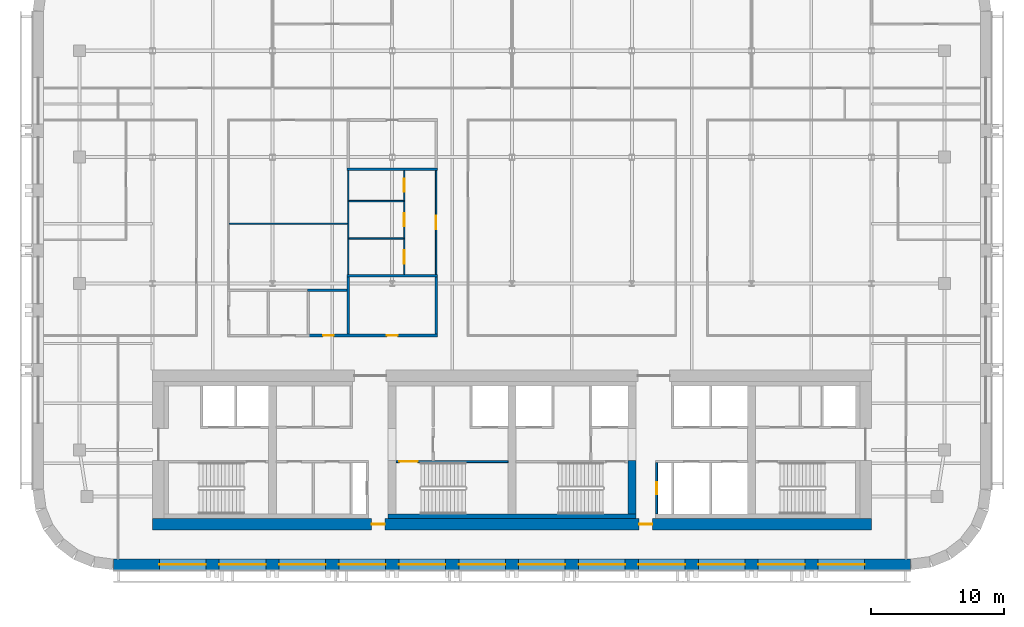
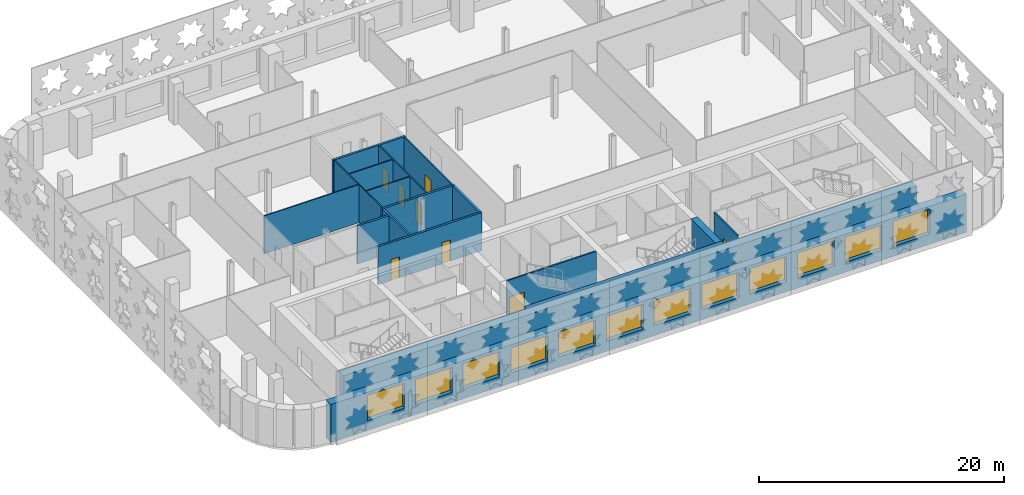
# One storey, part 4 of 13: 18 walls, 12 windows, 10 doors, 22 openings.
"""IFC4 building model written with IfcOpenShell, lengths in metres."""

from ifc_helpers import new_model, si_unit, direction, frame, frame_2d, origin, place, context, subcontext, project, spatial, rectangle, extrude, material, layer, layer_set, type_object, element, fill, save


model = new_model("IFC4")

# Units and contexts
model_context = context("Model", 3, precision=1e-05, world=origin(), true_north=direction((0.0, 1.0)))
body_context = subcontext(model_context, "Body", "Model", "MODEL_VIEW")
ifc_project = project(units=[si_unit("LENGTHUNIT", "METRE"), si_unit("AREAUNIT", "SQUARE_METRE"), si_unit("VOLUMEUNIT", "CUBIC_METRE"), si_unit("PLANEANGLEUNIT", "RADIAN"), si_unit("MASSUNIT", "GRAM", prefix="KILO")], contexts=[model_context])

# Site, building, storey
site_placement = place(None, origin())
site = spatial("IfcSite", under=ifc_project, at=site_placement, CompositionType="ELEMENT")
building_placement = place(site_placement, origin())
building = spatial("IfcBuilding", under=site, at=building_placement, Name="Zellij Exchange Tower", CompositionType="ELEMENT")
storey_placement = place(building_placement, frame((0.0, 0.0, 172.5)))
storey = spatial("IfcBuildingStorey", under=building, at=storey_placement, Name="L39", CompositionType="ELEMENT", Elevation=172.5)

# Walls
ifc_material_1 = material(Name="Concrete C60/75", Category="concrete")
ifc_layer_1 = layer(ifc_material_1, 0.60009765625)
ifc_layer_set_1 = layer_set([ifc_layer_1], Name="Concrete C60/75")
wall_type_1 = type_object("IfcWallType", Name="CORE-CW 600 C60/75", PredefinedType="SHEAR", material=ifc_layer_set_1)
wall_1_placement = place(storey_placement, frame((9.0, -12.800048828125, 0.0), z_axis=(0.0, 0.0, 1.0), x_axis=(0.0, 1.0, 0.0)))
element("IfcWall", 1, at=wall_1_placement, inside=storey, type_object=wall_type_1, Name="Core cross wall pier x 9 a L39", PredefinedType="SHEAR", context=body_context, shape_type="SweptSolid", body=[
    extrude(rectangle(XDim=4.0, YDim=0.60009765625, at=frame_2d((2.0, 0.0))), origin(), (0.0, 0.0, 1.0), 3.800048828125),
])
ifc_material_2 = material(Name="Concrete C30/37", Category="concrete")
ifc_layer_2 = layer(ifc_material_2, 0.35009765625)
ifc_layer_set_2 = layer_set([ifc_layer_2], Name="Concrete C30/37")
wall_type_2 = type_object("IfcWallType", Name="CORE-LW 350 C30/37", PredefinedType="SHEAR", material=ifc_layer_set_2)
wall_2_placement = place(storey_placement, frame((-9.300048828125, -12.97509765625, 0.0), z_axis=(0.0, 0.0, 1.0), x_axis=(1.0, 0.0, 0.0)))
element("IfcWall", 2, at=wall_2_placement, inside=storey, type_object=wall_type_2, Name="Core wall lining rear.1 L39", PredefinedType="SHEAR", context=body_context, shape_type="SweptSolid", body=[
    extrude(rectangle(XDim=18.60009765625, YDim=0.35009765625, at=frame_2d((9.300048828125, 0.0))), origin(), (0.0, 0.0, 1.0), 3.800048828125),
])

# Wall, opening, door
ifc_material_3 = material(Name="Gypsum board partition")
ifc_layer_3 = layer(ifc_material_3, 0.14990234375)
ifc_layer_set_3 = layer_set([ifc_layer_3], Name="Gypsum board partition")
wall_type_3 = type_object("IfcWallType", Name="CORE-PW 150 Lift lobby wall", PredefinedType="PARTITIONING", material=ifc_layer_set_3)
wall_3_placement = place(storey_placement, frame((10.875, -12.800048828125, 0.0), z_axis=(0.0, 0.0, 1.0), x_axis=(0.0, 1.0, 0.0)))
wall_3 = element("IfcWall", 3, at=wall_3_placement, inside=storey, type_object=wall_type_3, Name="Lift lobby wall L39", PredefinedType="PARTITIONING", context=body_context, shape_type="SweptSolid", body=[
    extrude(rectangle(XDim=3.85009765625, YDim=0.14990234375, at=frame_2d((1.925048828125, 0.0))), origin(), (0.0, 0.0, 1.0), 3.800048828125),
])
opening_1_placement = place(wall_3_placement, frame((1.47509765625, 0.0, 0.0)))
opening_1 = element("IfcOpeningElement", 4, at=opening_1_placement, cuts=wall_3, Name="Opening CA-22.21", PredefinedType="OPENING", context=body_context, shape_type="SweptSolid", body=[
    extrude(rectangle(XDim=0.89990234375, YDim=2.10009765625, at=frame_2d((0.449951171875, 1.050048828125))), frame((0.0, 0.0869140625, 0.0), z_axis=(0.0, -1.0, 0.0), x_axis=(1.0, 0.0, 0.0)), (0.0, 0.0, 1.0), 0.173828125),
])
ifc_material_4 = material(Name="Hollow metal fire door")
door_type_1 = type_object("IfcDoorType", Name="CORE-D RD Riser door 900x2100 1.5 HR", OperationType="NOTDEFINED", PredefinedType="DOOR", material=ifc_material_4)
door_1_placement = place(opening_1_placement, origin())
door_1 = element("IfcDoor", 5, at=door_1_placement, inside=storey, type_object=door_type_1, Name="Riser door CA-22.21", OperationType="SINGLE_SWING_LEFT", OverallHeight=2.10009765625, OverallWidth=0.89990234375, PredefinedType="DOOR", context=body_context, shape_type="SweptSolid", body=[
    extrude(rectangle(XDim=0.89990234375, YDim=2.10009765625, at=frame_2d((0.449951171875, 1.050048828125))), frame((0.0, 0.02490234375, 0.0), z_axis=(0.0, -1.0, 0.0), x_axis=(1.0, 0.0, 0.0)), (0.0, 0.0, 1.0), 0.050048828125),
])
fill(opening_1, door_1)

# Wall, openings, doors
ifc_layer_4 = layer(ifc_material_1, 0.85009765625)
ifc_layer_set_4 = layer_set([ifc_layer_4], Name="Concrete C60/75")
wall_type_4 = type_object("IfcWallType", Name="CORE-SW 850 C60/75", PredefinedType="SHEAR", material=ifc_layer_set_4)
wall_4_placement = place(storey_placement, frame((-27.0, -13.574951171875, 0.0), z_axis=(0.0, 0.0, 1.0), x_axis=(1.0, 0.0, 0.0)))
wall_4 = element("IfcWall", 6, at=wall_4_placement, inside=storey, type_object=wall_type_4, Name="Core shear wall rear L39", PredefinedType="SHEAR", context=body_context, shape_type="SweptSolid", body=[
    extrude(rectangle(XDim=54.0, YDim=0.85009765625, at=frame_2d((27.0, 0.0))), origin(), (0.0, 0.0, 1.0), 3.800048828125),
])
opening_2_placement = place(wall_4_placement, frame((16.449951171875, 0.0, 0.0)))
opening_2 = element("IfcOpeningElement", 7, at=opening_2_placement, cuts=wall_4, Name="Opening CA-22.11", PredefinedType="OPENING", context=body_context, shape_type="SweptSolid", body=[
    extrude(rectangle(XDim=1.0, YDim=2.10009765625, at=frame_2d((0.5, 1.050048828125))), frame((0.0, 0.43701171875, 0.0), z_axis=(0.0, -1.0, 0.0), x_axis=(1.0, 0.0, 0.0)), (0.0, 0.0, 1.0), 0.8740234375),
])
opening_3_placement = place(wall_4_placement, frame((36.550048828125, 0.0, 0.0)))
opening_3 = element("IfcOpeningElement", 8, at=opening_3_placement, cuts=wall_4, Name="Opening CA-22.19", PredefinedType="OPENING", context=body_context, shape_type="SweptSolid", body=[
    extrude(rectangle(XDim=1.0, YDim=2.10009765625, at=frame_2d((0.5, 1.050048828125))), frame((0.0, 0.43701171875, 0.0), z_axis=(0.0, -1.0, 0.0), x_axis=(1.0, 0.0, 0.0)), (0.0, 0.0, 1.0), 0.8740234375),
])
door_type_2 = type_object("IfcDoorType", Name="CORE-D CR Core rear door 1000x2100 20 MIN", OperationType="NOTDEFINED", PredefinedType="DOOR", material=ifc_material_4)
door_2_placement = place(opening_2_placement, origin())
door_2 = element("IfcDoor", 9, at=door_2_placement, inside=storey, type_object=door_type_2, Name="Core rear door CA-22.11", OperationType="SINGLE_SWING_RIGHT", OverallHeight=2.10009765625, OverallWidth=1.0, PredefinedType="DOOR", context=body_context, shape_type="SweptSolid", body=[
    extrude(rectangle(XDim=1.0, YDim=2.10009765625, at=frame_2d((0.5, 1.050048828125))), frame((0.0, 0.02490234375, 0.0), z_axis=(0.0, -1.0, 0.0), x_axis=(1.0, 0.0, 0.0)), (0.0, 0.0, 1.0), 0.050048828125),
])
fill(opening_2, door_2)
door_3_placement = place(opening_3_placement, origin())
door_3 = element("IfcDoor", 10, at=door_3_placement, inside=storey, type_object=door_type_2, Name="Core rear door CA-22.19", OperationType="SINGLE_SWING_LEFT", OverallHeight=2.10009765625, OverallWidth=1.0, PredefinedType="DOOR", context=body_context, shape_type="SweptSolid", body=[
    extrude(rectangle(XDim=1.0, YDim=2.10009765625, at=frame_2d((0.5, 1.050048828125))), frame((0.0, 0.02490234375, 0.0), z_axis=(0.0, -1.0, 0.0), x_axis=(1.0, 0.0, 0.0)), (0.0, 0.0, 1.0), 0.050048828125),
])
fill(opening_3, door_3)

# Wall, opening, door
ifc_layer_5 = layer(ifc_material_1, 0.14990234375)
ifc_layer_set_5 = layer_set([ifc_layer_5], Name="Concrete C60/75")
wall_type_5 = type_object("IfcWallType", Name="CORE-SWS 150 C60/75", PredefinedType="SHEAR", material=ifc_layer_set_5)
wall_5_placement = place(storey_placement, frame((-8.699951171875, -8.875, 0.0), z_axis=(0.0, 0.0, 1.0), x_axis=(1.0, 0.0, 0.0)))
wall_5 = element("IfcWall", 11, at=wall_5_placement, inside=storey, type_object=wall_type_5, Name="Stair enclosure wall L39", PredefinedType="SHEAR", context=body_context, shape_type="SweptSolid", body=[
    extrude(rectangle(XDim=8.39990234375, YDim=0.14990234375, at=frame_2d((4.199951171875, 0.0))), origin(), (0.0, 0.0, 1.0), 3.800048828125),
])
opening_4_placement = place(wall_5_placement, frame((0.22509765625, 0.0, 0.0)))
opening_4 = element("IfcOpeningElement", 12, at=opening_4_placement, cuts=wall_5, Name="Opening CA-22.12", PredefinedType="OPENING", context=body_context, shape_type="SweptSolid", body=[
    extrude(rectangle(XDim=1.39990234375, YDim=2.10009765625, at=frame_2d((0.699951171875, 1.050048828125))), frame((0.0, 0.0869140625, 0.0), z_axis=(0.0, -1.0, 0.0), x_axis=(1.0, 0.0, 0.0)), (0.0, 0.0, 1.0), 0.173828125),
])
door_type_3 = type_object("IfcDoorType", Name="CORE-D SD Stair door 1400x2100 1.5 HR", OperationType="NOTDEFINED", PredefinedType="DOOR", material=ifc_material_4)
door_4_placement = place(opening_4_placement, origin())
door_4 = element("IfcDoor", 13, at=door_4_placement, inside=storey, type_object=door_type_3, Name="Stair door CA-22.12", OperationType="DOUBLE_DOOR_SINGLE_SWING", OverallHeight=2.10009765625, OverallWidth=1.39990234375, PredefinedType="DOOR", context=body_context, shape_type="SweptSolid", body=[
    extrude(rectangle(XDim=1.39990234375, YDim=2.10009765625, at=frame_2d((0.699951171875, 1.050048828125))), frame((0.0, 0.02490234375, 0.0), z_axis=(0.0, -1.0, 0.0), x_axis=(1.0, 0.0, 0.0)), (0.0, 0.0, 1.0), 0.050048828125),
])
fill(opening_4, door_4)

# Wall, openings, windows
ifc_material_5 = material(Name="Precast concrete C40/50", Category="concrete")
ifc_layer_6 = layer(ifc_material_5, 0.800048828125)
ifc_layer_set_6 = layer_set([ifc_layer_6], Name="Precast concrete C40/50")
wall_type_6 = type_object("IfcWallType", Name="ENV-EW1 Precast stone-piered wall 800", PredefinedType="SOLIDWALL", material=ifc_layer_set_6)
wall_6_placement = place(storey_placement, frame((-29.947509765625, -16.60009765625, 0.0), z_axis=(0.0, 0.0, 1.0), x_axis=(1.0, 0.0, 0.0)))
wall_6 = element("IfcWall", 14, at=wall_6_placement, inside=storey, type_object=wall_type_6, Name="fac.L39.00", PredefinedType="SOLIDWALL", context=body_context, shape_type="SweptSolid", body=[
    extrude(rectangle(XDim=59.89501953125, YDim=0.800048828125, at=frame_2d((29.947509765625, 0.0))), origin(), (0.0, 0.0, 1.0), 3.800048828125),
])
opening_5_placement = place(wall_6_placement, frame((3.447509765625, 0.0, 1.0)))
opening_5 = element("IfcOpeningElement", 15, at=opening_5_placement, cuts=wall_6, Name="Opening FZ3.01", PredefinedType="OPENING", context=body_context, shape_type="SweptSolid", body=[
    extrude(rectangle(XDim=3.5, YDim=2.5, at=frame_2d((1.75, 1.25))), frame((0.0, 0.412109375, 0.0), z_axis=(0.0, -1.0, 0.0), x_axis=(1.0, 0.0, 0.0)), (0.0, 0.0, 1.0), 0.823974609375),
])
opening_6_placement = place(wall_6_placement, frame((7.947509765625, 0.0, 1.0)))
opening_6 = element("IfcOpeningElement", 16, at=opening_6_placement, cuts=wall_6, Name="Opening FZ3.02", PredefinedType="OPENING", context=body_context, shape_type="SweptSolid", body=[
    extrude(rectangle(XDim=3.5, YDim=2.5, at=frame_2d((1.75, 1.25))), frame((0.0, 0.412109375, 0.0), z_axis=(0.0, -1.0, 0.0), x_axis=(1.0, 0.0, 0.0)), (0.0, 0.0, 1.0), 0.823974609375),
])
opening_7_placement = place(wall_6_placement, frame((12.447509765625, 0.0, 1.0)))
opening_7 = element("IfcOpeningElement", 17, at=opening_7_placement, cuts=wall_6, Name="Opening FZ3.03", PredefinedType="OPENING", context=body_context, shape_type="SweptSolid", body=[
    extrude(rectangle(XDim=3.5, YDim=2.5, at=frame_2d((1.75, 1.25))), frame((0.0, 0.412109375, 0.0), z_axis=(0.0, -1.0, 0.0), x_axis=(1.0, 0.0, 0.0)), (0.0, 0.0, 1.0), 0.823974609375),
])
opening_8_placement = place(wall_6_placement, frame((16.947509765625, 0.0, 1.0)))
opening_8 = element("IfcOpeningElement", 18, at=opening_8_placement, cuts=wall_6, Name="Opening FZ3.04", PredefinedType="OPENING", context=body_context, shape_type="SweptSolid", body=[
    extrude(rectangle(XDim=3.5, YDim=2.5, at=frame_2d((1.75, 1.25))), frame((0.0, 0.412109375, 0.0), z_axis=(0.0, -1.0, 0.0), x_axis=(1.0, 0.0, 0.0)), (0.0, 0.0, 1.0), 0.823974609375),
])
opening_9_placement = place(wall_6_placement, frame((21.447509765625, 0.0, 1.0)))
opening_9 = element("IfcOpeningElement", 19, at=opening_9_placement, cuts=wall_6, Name="Opening FZ3.05", PredefinedType="OPENING", context=body_context, shape_type="SweptSolid", body=[
    extrude(rectangle(XDim=3.5, YDim=2.5, at=frame_2d((1.75, 1.25))), frame((0.0, 0.412109375, 0.0), z_axis=(0.0, -1.0, 0.0), x_axis=(1.0, 0.0, 0.0)), (0.0, 0.0, 1.0), 0.823974609375),
])
opening_10_placement = place(wall_6_placement, frame((25.947509765625, 0.0, 1.0)))
opening_10 = element("IfcOpeningElement", 20, at=opening_10_placement, cuts=wall_6, Name="Opening FZ3.06", PredefinedType="OPENING", context=body_context, shape_type="SweptSolid", body=[
    extrude(rectangle(XDim=3.5, YDim=2.5, at=frame_2d((1.75, 1.25))), frame((0.0, 0.412109375, 0.0), z_axis=(0.0, -1.0, 0.0), x_axis=(1.0, 0.0, 0.0)), (0.0, 0.0, 1.0), 0.823974609375),
])
opening_11_placement = place(wall_6_placement, frame((30.447509765625, 0.0, 1.0)))
opening_11 = element("IfcOpeningElement", 21, at=opening_11_placement, cuts=wall_6, Name="Opening FZ3.07", PredefinedType="OPENING", context=body_context, shape_type="SweptSolid", body=[
    extrude(rectangle(XDim=3.5, YDim=2.5, at=frame_2d((1.75, 1.25))), frame((0.0, 0.412109375, 0.0), z_axis=(0.0, -1.0, 0.0), x_axis=(1.0, 0.0, 0.0)), (0.0, 0.0, 1.0), 0.823974609375),
])
opening_12_placement = place(wall_6_placement, frame((34.947509765625, 0.0, 1.0)))
opening_12 = element("IfcOpeningElement", 22, at=opening_12_placement, cuts=wall_6, Name="Opening FZ3.08", PredefinedType="OPENING", context=body_context, shape_type="SweptSolid", body=[
    extrude(rectangle(XDim=3.5, YDim=2.5, at=frame_2d((1.75, 1.25))), frame((0.0, 0.412109375, 0.0), z_axis=(0.0, -1.0, 0.0), x_axis=(1.0, 0.0, 0.0)), (0.0, 0.0, 1.0), 0.823974609375),
])
opening_13_placement = place(wall_6_placement, frame((39.447509765625, 0.0, 1.0)))
opening_13 = element("IfcOpeningElement", 23, at=opening_13_placement, cuts=wall_6, Name="Opening FZ3.09", PredefinedType="OPENING", context=body_context, shape_type="SweptSolid", body=[
    extrude(rectangle(XDim=3.5, YDim=2.5, at=frame_2d((1.75, 1.25))), frame((0.0, 0.412109375, 0.0), z_axis=(0.0, -1.0, 0.0), x_axis=(1.0, 0.0, 0.0)), (0.0, 0.0, 1.0), 0.823974609375),
])
opening_14_placement = place(wall_6_placement, frame((43.947509765625, 0.0, 1.0)))
opening_14 = element("IfcOpeningElement", 24, at=opening_14_placement, cuts=wall_6, Name="Opening FZ3.10", PredefinedType="OPENING", context=body_context, shape_type="SweptSolid", body=[
    extrude(rectangle(XDim=3.5, YDim=2.5, at=frame_2d((1.75, 1.25))), frame((0.0, 0.412109375, 0.0), z_axis=(0.0, -1.0, 0.0), x_axis=(1.0, 0.0, 0.0)), (0.0, 0.0, 1.0), 0.823974609375),
])
opening_15_placement = place(wall_6_placement, frame((48.447509765625, 0.0, 1.0)))
opening_15 = element("IfcOpeningElement", 25, at=opening_15_placement, cuts=wall_6, Name="Opening FZ3.11", PredefinedType="OPENING", context=body_context, shape_type="SweptSolid", body=[
    extrude(rectangle(XDim=3.5, YDim=2.5, at=frame_2d((1.75, 1.25))), frame((0.0, 0.412109375, 0.0), z_axis=(0.0, -1.0, 0.0), x_axis=(1.0, 0.0, 0.0)), (0.0, 0.0, 1.0), 0.823974609375),
])
opening_16_placement = place(wall_6_placement, frame((52.947509765625, 0.0, 1.0)))
opening_16 = element("IfcOpeningElement", 26, at=opening_16_placement, cuts=wall_6, Name="Opening FZ3.12", PredefinedType="OPENING", context=body_context, shape_type="SweptSolid", body=[
    extrude(rectangle(XDim=3.5, YDim=2.5, at=frame_2d((1.75, 1.25))), frame((0.0, 0.412109375, 0.0), z_axis=(0.0, -1.0, 0.0), x_axis=(1.0, 0.0, 0.0)), (0.0, 0.0, 1.0), 0.823974609375),
])
ifc_material_6 = material(Name="Aluminium frame with insulating glass", Category="aluminium")
window_type = type_object("IfcWindowType", Name="ENV-W1 Window 3500x2500", PartitioningType="SINGLE_PANEL", PredefinedType="WINDOW", material=ifc_material_6)
window_1_placement = place(opening_5_placement, origin())
window_1 = element("IfcWindow", 27, at=window_1_placement, inside=storey, type_object=window_type, Name="Window FZ3.01", OverallHeight=2.5, OverallWidth=3.5, PartitioningType="SINGLE_PANEL", PredefinedType="WINDOW", context=body_context, shape_type="SweptSolid", body=[
    extrude(rectangle(XDim=3.5, YDim=2.5, at=frame_2d((1.75, 1.25))), frame((0.0, 0.030029296875, 0.0), z_axis=(0.0, -1.0, 0.0), x_axis=(1.0, 0.0, 0.0)), (0.0, 0.0, 1.0), 0.06005859375),
])
fill(opening_5, window_1)
window_2_placement = place(opening_6_placement, origin())
window_2 = element("IfcWindow", 28, at=window_2_placement, inside=storey, type_object=window_type, Name="Window FZ3.02", OverallHeight=2.5, OverallWidth=3.5, PartitioningType="SINGLE_PANEL", PredefinedType="WINDOW", context=body_context, shape_type="SweptSolid", body=[
    extrude(rectangle(XDim=3.5, YDim=2.5, at=frame_2d((1.75, 1.25))), frame((0.0, 0.030029296875, 0.0), z_axis=(0.0, -1.0, 0.0), x_axis=(1.0, 0.0, 0.0)), (0.0, 0.0, 1.0), 0.06005859375),
])
fill(opening_6, window_2)
window_3_placement = place(opening_7_placement, origin())
window_3 = element("IfcWindow", 29, at=window_3_placement, inside=storey, type_object=window_type, Name="Window FZ3.03", OverallHeight=2.5, OverallWidth=3.5, PartitioningType="SINGLE_PANEL", PredefinedType="WINDOW", context=body_context, shape_type="SweptSolid", body=[
    extrude(rectangle(XDim=3.5, YDim=2.5, at=frame_2d((1.75, 1.25))), frame((0.0, 0.030029296875, 0.0), z_axis=(0.0, -1.0, 0.0), x_axis=(1.0, 0.0, 0.0)), (0.0, 0.0, 1.0), 0.06005859375),
])
fill(opening_7, window_3)
window_4_placement = place(opening_8_placement, origin())
window_4 = element("IfcWindow", 30, at=window_4_placement, inside=storey, type_object=window_type, Name="Window FZ3.04", OverallHeight=2.5, OverallWidth=3.5, PartitioningType="SINGLE_PANEL", PredefinedType="WINDOW", context=body_context, shape_type="SweptSolid", body=[
    extrude(rectangle(XDim=3.5, YDim=2.5, at=frame_2d((1.75, 1.25))), frame((0.0, 0.030029296875, 0.0), z_axis=(0.0, -1.0, 0.0), x_axis=(1.0, 0.0, 0.0)), (0.0, 0.0, 1.0), 0.06005859375),
])
fill(opening_8, window_4)
window_5_placement = place(opening_9_placement, origin())
window_5 = element("IfcWindow", 31, at=window_5_placement, inside=storey, type_object=window_type, Name="Window FZ3.05", OverallHeight=2.5, OverallWidth=3.5, PartitioningType="SINGLE_PANEL", PredefinedType="WINDOW", context=body_context, shape_type="SweptSolid", body=[
    extrude(rectangle(XDim=3.5, YDim=2.5, at=frame_2d((1.75, 1.25))), frame((0.0, 0.030029296875, 0.0), z_axis=(0.0, -1.0, 0.0), x_axis=(1.0, 0.0, 0.0)), (0.0, 0.0, 1.0), 0.06005859375),
])
fill(opening_9, window_5)
window_6_placement = place(opening_10_placement, origin())
window_6 = element("IfcWindow", 32, at=window_6_placement, inside=storey, type_object=window_type, Name="Window FZ3.06", OverallHeight=2.5, OverallWidth=3.5, PartitioningType="SINGLE_PANEL", PredefinedType="WINDOW", context=body_context, shape_type="SweptSolid", body=[
    extrude(rectangle(XDim=3.5, YDim=2.5, at=frame_2d((1.75, 1.25))), frame((0.0, 0.030029296875, 0.0), z_axis=(0.0, -1.0, 0.0), x_axis=(1.0, 0.0, 0.0)), (0.0, 0.0, 1.0), 0.06005859375),
])
fill(opening_10, window_6)
window_7_placement = place(opening_11_placement, origin())
window_7 = element("IfcWindow", 33, at=window_7_placement, inside=storey, type_object=window_type, Name="Window FZ3.07", OverallHeight=2.5, OverallWidth=3.5, PartitioningType="SINGLE_PANEL", PredefinedType="WINDOW", context=body_context, shape_type="SweptSolid", body=[
    extrude(rectangle(XDim=3.5, YDim=2.5, at=frame_2d((1.75, 1.25))), frame((0.0, 0.030029296875, 0.0), z_axis=(0.0, -1.0, 0.0), x_axis=(1.0, 0.0, 0.0)), (0.0, 0.0, 1.0), 0.06005859375),
])
fill(opening_11, window_7)
window_8_placement = place(opening_12_placement, origin())
window_8 = element("IfcWindow", 34, at=window_8_placement, inside=storey, type_object=window_type, Name="Window FZ3.08", OverallHeight=2.5, OverallWidth=3.5, PartitioningType="SINGLE_PANEL", PredefinedType="WINDOW", context=body_context, shape_type="SweptSolid", body=[
    extrude(rectangle(XDim=3.5, YDim=2.5, at=frame_2d((1.75, 1.25))), frame((0.0, 0.030029296875, 0.0), z_axis=(0.0, -1.0, 0.0), x_axis=(1.0, 0.0, 0.0)), (0.0, 0.0, 1.0), 0.06005859375),
])
fill(opening_12, window_8)
window_9_placement = place(opening_13_placement, origin())
window_9 = element("IfcWindow", 35, at=window_9_placement, inside=storey, type_object=window_type, Name="Window FZ3.09", OverallHeight=2.5, OverallWidth=3.5, PartitioningType="SINGLE_PANEL", PredefinedType="WINDOW", context=body_context, shape_type="SweptSolid", body=[
    extrude(rectangle(XDim=3.5, YDim=2.5, at=frame_2d((1.75, 1.25))), frame((0.0, 0.030029296875, 0.0), z_axis=(0.0, -1.0, 0.0), x_axis=(1.0, 0.0, 0.0)), (0.0, 0.0, 1.0), 0.06005859375),
])
fill(opening_13, window_9)
window_10_placement = place(opening_14_placement, origin())
window_10 = element("IfcWindow", 36, at=window_10_placement, inside=storey, type_object=window_type, Name="Window FZ3.10", OverallHeight=2.5, OverallWidth=3.5, PartitioningType="SINGLE_PANEL", PredefinedType="WINDOW", context=body_context, shape_type="SweptSolid", body=[
    extrude(rectangle(XDim=3.5, YDim=2.5, at=frame_2d((1.75, 1.25))), frame((0.0, 0.030029296875, 0.0), z_axis=(0.0, -1.0, 0.0), x_axis=(1.0, 0.0, 0.0)), (0.0, 0.0, 1.0), 0.06005859375),
])
fill(opening_14, window_10)
window_11_placement = place(opening_15_placement, origin())
window_11 = element("IfcWindow", 37, at=window_11_placement, inside=storey, type_object=window_type, Name="Window FZ3.11", OverallHeight=2.5, OverallWidth=3.5, PartitioningType="SINGLE_PANEL", PredefinedType="WINDOW", context=body_context, shape_type="SweptSolid", body=[
    extrude(rectangle(XDim=3.5, YDim=2.5, at=frame_2d((1.75, 1.25))), frame((0.0, 0.030029296875, 0.0), z_axis=(0.0, -1.0, 0.0), x_axis=(1.0, 0.0, 0.0)), (0.0, 0.0, 1.0), 0.06005859375),
])
fill(opening_15, window_11)
window_12_placement = place(opening_16_placement, origin())
window_12 = element("IfcWindow", 38, at=window_12_placement, inside=storey, type_object=window_type, Name="Window FZ3.12", OverallHeight=2.5, OverallWidth=3.5, PartitioningType="SINGLE_PANEL", PredefinedType="WINDOW", context=body_context, shape_type="SweptSolid", body=[
    extrude(rectangle(XDim=3.5, YDim=2.5, at=frame_2d((1.75, 1.25))), frame((0.0, 0.030029296875, 0.0), z_axis=(0.0, -1.0, 0.0), x_axis=(1.0, 0.0, 0.0)), (0.0, 0.0, 1.0), 0.06005859375),
])
fill(opening_16, window_12)

# Wall, openings, doors
ifc_material_7 = material(Name="Blockwork partition", Category="masonry")
ifc_layer_7 = layer(ifc_material_7, 0.199951171875)
ifc_layer_set_7 = layer_set([ifc_layer_7], Name="Blockwork partition")
wall_type_7 = type_object("IfcWallType", Name="FIT-BLOCKWORK-200", PredefinedType="PARTITIONING", material=ifc_layer_set_7)
wall_7_placement = place(storey_placement, frame((-15.375, 0.60009765625, 0.0), z_axis=(0.0, 0.0, 1.0), x_axis=(1.0, 0.0, 0.0)))
wall_7 = element("IfcWall", 39, at=wall_7_placement, inside=storey, type_object=wall_type_7, Name="FIT-BLOCKWORK-200 008", PredefinedType="PARTITIONING", context=body_context, shape_type="SweptSolid", body=[
    extrude(rectangle(XDim=9.77490234375, YDim=0.199951171875, at=frame_2d((4.887451171875, 0.0))), origin(), (0.0, 0.0, 1.0), 3.800048828125),
])
opening_17_placement = place(wall_7_placement, frame((1.175048828125, 0.0, 0.0)))
opening_17 = element("IfcOpeningElement", 40, at=opening_17_placement, cuts=wall_7, Name="Opening O3A.04", PredefinedType="OPENING", context=body_context, shape_type="SweptSolid", body=[
    extrude(rectangle(XDim=0.800048828125, YDim=2.10009765625, at=frame_2d((0.39990234375, 1.050048828125))), frame((0.0, 0.11181640625, 0.0), z_axis=(0.0, -1.0, 0.0), x_axis=(1.0, 0.0, 0.0)), (0.0, 0.0, 1.0), 0.223876953125),
])
opening_18_placement = place(wall_7_placement, frame((5.97509765625, 0.0, 0.0)))
opening_18 = element("IfcOpeningElement", 41, at=opening_18_placement, cuts=wall_7, Name="Opening O3A.05", PredefinedType="OPENING", context=body_context, shape_type="SweptSolid", body=[
    extrude(rectangle(XDim=0.800048828125, YDim=2.10009765625, at=frame_2d((0.39990234375, 1.050048828125))), frame((0.0, 0.11181640625, 0.0), z_axis=(0.0, -1.0, 0.0), x_axis=(1.0, 0.0, 0.0)), (0.0, 0.0, 1.0), 0.223876953125),
])
ifc_material_8 = material(Name="Timber door set", Category="wood")
door_type_4 = type_object("IfcDoorType", Name="FIT-D6-SERVICE-800X2100", OperationType="SINGLE_SWING_LEFT", PredefinedType="DOOR", material=ifc_material_8)
door_5_placement = place(opening_17_placement, origin())
door_5 = element("IfcDoor", 42, at=door_5_placement, inside=storey, type_object=door_type_4, Name="Door O3A.04", OperationType="SINGLE_SWING_RIGHT", OverallHeight=2.10009765625, OverallWidth=0.800048828125, PredefinedType="DOOR", context=body_context, shape_type="SweptSolid", body=[
    extrude(rectangle(XDim=0.800048828125, YDim=2.10009765625, at=frame_2d((0.39990234375, 1.050048828125))), frame((0.0, 0.02490234375, 0.0), z_axis=(0.0, -1.0, 0.0), x_axis=(1.0, 0.0, 0.0)), (0.0, 0.0, 1.0), 0.050048828125),
])
fill(opening_17, door_5)
door_6_placement = place(opening_18_placement, origin())
door_6 = element("IfcDoor", 43, at=door_6_placement, inside=storey, type_object=door_type_4, Name="Door O3A.05", OperationType="SINGLE_SWING_LEFT", OverallHeight=2.10009765625, OverallWidth=0.800048828125, PredefinedType="DOOR", context=body_context, shape_type="SweptSolid", body=[
    extrude(rectangle(XDim=0.800048828125, YDim=2.10009765625, at=frame_2d((0.39990234375, 1.050048828125))), frame((0.0, 0.02490234375, 0.0), z_axis=(0.0, -1.0, 0.0), x_axis=(1.0, 0.0, 0.0)), (0.0, 0.0, 1.0), 0.050048828125),
])
fill(opening_18, door_6)

# Walls
for number, where, z_axis, x_axis, name in (
    (44, (-12.300048828125, 0.699951171875, 0.0), (0.0, 0.0, 1.0), (0.0, 1.0, 0.0), "FIT-BLOCKWORK-200 010"),
    (45, (-5.699951171875, 0.699951171875, 0.0), (0.0, 0.0, 1.0), (0.0, 1.0, 0.0), "FIT-BLOCKWORK-200 011"),
):
    element("IfcWall", number, at=place(storey_placement, frame(where, z_axis=z_axis, x_axis=x_axis)), inside=storey, type_object=wall_type_7, Name=name, PredefinedType="PARTITIONING", context=body_context, shape_type="SweptSolid", body=[
        extrude(rectangle(XDim=4.300048828125, YDim=0.199951171875, at=frame_2d((2.14990234375, 0.0))), origin(), (0.0, 0.0, 1.0), 3.800048828125),
    ])
wall_8_placement = place(storey_placement, frame((-15.375, 4.0, 0.0), z_axis=(0.0, 0.0, 1.0), x_axis=(1.0, 0.0, 0.0)))
element("IfcWall", 46, at=wall_8_placement, inside=storey, type_object=wall_type_7, Name="FIT-BLOCKWORK-200 019", PredefinedType="PARTITIONING", context=body_context, shape_type="SweptSolid", body=[
    extrude(rectangle(XDim=2.97509765625, YDim=0.199951171875, at=frame_2d((1.487548828125, 0.0))), origin(), (0.0, 0.0, 1.0), 3.800048828125),
])
for number, where, z_axis, x_axis, name in (
    (47, (-12.39990234375, 5.10009765625, 0.0), (0.0, 0.0, 1.0), (1.0, 0.0, 0.0), "FIT-BLOCKWORK-200 020"),
    (48, (-12.39990234375, 13.10009765625, 0.0), (0.0, 0.0, 1.0), (1.0, 0.0, 0.0), "FIT-BLOCKWORK-200 031"),
):
    element("IfcWall", number, at=place(storey_placement, frame(where, z_axis=z_axis, x_axis=x_axis)), inside=storey, type_object=wall_type_7, Name=name, PredefinedType="PARTITIONING", context=body_context, shape_type="SweptSolid", body=[
        extrude(rectangle(XDim=6.7998046875, YDim=0.199951171875, at=frame_2d((3.39990234375, 0.0))), origin(), (0.0, 0.0, 1.0), 3.800048828125),
    ])
ifc_material_9 = material(Name="Gypsum board partition on steel studs", Category="steel")
ifc_layer_8 = layer(ifc_material_9, 0.10009765625)
ifc_layer_set_8 = layer_set([ifc_layer_8], Name="Gypsum board partition on steel studs")
wall_type_8 = type_object("IfcWallType", Name="FIT-PARTITION-100", PredefinedType="PARTITIONING", material=ifc_layer_set_8)
wall_9_placement = place(storey_placement, frame((-12.300048828125, 5.199951171875, 0.0), z_axis=(0.0, 0.0, 1.0), x_axis=(0.0, 1.0, 0.0)))
element("IfcWall", 49, at=wall_9_placement, inside=storey, type_object=wall_type_8, Name="FIT-PARTITION-100 021", PredefinedType="PARTITIONING", context=body_context, shape_type="SweptSolid", body=[
    extrude(rectangle(XDim=7.800048828125, YDim=0.10009765625, at=frame_2d((3.89990234375, 0.0))), origin(), (0.0, 0.0, 1.0), 3.800048828125),
])

# Wall, openings, doors
wall_10_placement = place(storey_placement, frame((-8.10009765625, 5.199951171875, 0.0), z_axis=(0.0, 0.0, 1.0), x_axis=(0.0, 1.0, 0.0)))
wall_10 = element("IfcWall", 50, at=wall_10_placement, inside=storey, type_object=wall_type_8, Name="FIT-PARTITION-100 022", PredefinedType="PARTITIONING", context=body_context, shape_type="SweptSolid", body=[
    extrude(rectangle(XDim=7.800048828125, YDim=0.10009765625, at=frame_2d((3.89990234375, 0.0))), origin(), (0.0, 0.0, 1.0), 3.800048828125),
])
opening_19_placement = place(wall_10_placement, frame((0.800048828125, 0.0, 0.0)))
opening_19 = element("IfcOpeningElement", 51, at=opening_19_placement, cuts=wall_10, Name="Opening O3A.10", PredefinedType="OPENING", context=body_context, shape_type="SweptSolid", body=[
    extrude(rectangle(XDim=1.0, YDim=2.10009765625, at=frame_2d((0.5, 1.050048828125))), frame((0.0, 0.06201171875, 0.0), z_axis=(0.0, -1.0, 0.0), x_axis=(1.0, 0.0, 0.0)), (0.0, 0.0, 1.0), 0.1240234375),
])
opening_20_placement = place(wall_10_placement, frame((3.60009765625, 0.0, 0.0)))
opening_20 = element("IfcOpeningElement", 52, at=opening_20_placement, cuts=wall_10, Name="Opening O3A.12", PredefinedType="OPENING", context=body_context, shape_type="SweptSolid", body=[
    extrude(rectangle(XDim=1.0, YDim=2.10009765625, at=frame_2d((0.5, 1.050048828125))), frame((0.0, 0.06201171875, 0.0), z_axis=(0.0, -1.0, 0.0), x_axis=(1.0, 0.0, 0.0)), (0.0, 0.0, 1.0), 0.1240234375),
])
opening_21_placement = place(wall_10_placement, frame((6.199951171875, 0.0, 0.0)))
opening_21 = element("IfcOpeningElement", 53, at=opening_21_placement, cuts=wall_10, Name="Opening O3A.13", PredefinedType="OPENING", context=body_context, shape_type="SweptSolid", body=[
    extrude(rectangle(XDim=1.0, YDim=2.10009765625, at=frame_2d((0.5, 1.050048828125))), frame((0.0, 0.06201171875, 0.0), z_axis=(0.0, -1.0, 0.0), x_axis=(1.0, 0.0, 0.0)), (0.0, 0.0, 1.0), 0.1240234375),
])
door_type_5 = type_object("IfcDoorType", Name="FIT-D2-WIDE-1000X2100", OperationType="SINGLE_SWING_LEFT", PredefinedType="DOOR", material=ifc_material_8)
door_7_placement = place(opening_19_placement, origin())
door_7 = element("IfcDoor", 54, at=door_7_placement, inside=storey, type_object=door_type_5, Name="Door O3A.10", OperationType="SINGLE_SWING_RIGHT", OverallHeight=2.10009765625, OverallWidth=1.0, PredefinedType="DOOR", context=body_context, shape_type="SweptSolid", body=[
    extrude(rectangle(XDim=1.0, YDim=2.10009765625, at=frame_2d((0.5, 1.050048828125))), frame((0.0, 0.02490234375, 0.0), z_axis=(0.0, -1.0, 0.0), x_axis=(1.0, 0.0, 0.0)), (0.0, 0.0, 1.0), 0.050048828125),
])
fill(opening_19, door_7)
door_8_placement = place(opening_20_placement, origin())
door_8 = element("IfcDoor", 55, at=door_8_placement, inside=storey, type_object=door_type_5, Name="Door O3A.12", OperationType="SINGLE_SWING_LEFT", OverallHeight=2.10009765625, OverallWidth=1.0, PredefinedType="DOOR", context=body_context, shape_type="SweptSolid", body=[
    extrude(rectangle(XDim=1.0, YDim=2.10009765625, at=frame_2d((0.5, 1.050048828125))), frame((0.0, 0.02490234375, 0.0), z_axis=(0.0, -1.0, 0.0), x_axis=(1.0, 0.0, 0.0)), (0.0, 0.0, 1.0), 0.050048828125),
])
fill(opening_20, door_8)
door_9_placement = place(opening_21_placement, origin())
door_9 = element("IfcDoor", 56, at=door_9_placement, inside=storey, type_object=door_type_5, Name="Door O3A.13", OperationType="SINGLE_SWING_LEFT", OverallHeight=2.10009765625, OverallWidth=1.0, PredefinedType="DOOR", context=body_context, shape_type="SweptSolid", body=[
    extrude(rectangle(XDim=1.0, YDim=2.10009765625, at=frame_2d((0.5, 1.050048828125))), frame((0.0, 0.02490234375, 0.0), z_axis=(0.0, -1.0, 0.0), x_axis=(1.0, 0.0, 0.0)), (0.0, 0.0, 1.0), 0.050048828125),
])
fill(opening_21, door_9)

# Wall, opening, door
wall_11_placement = place(storey_placement, frame((-5.699951171875, 5.199951171875, 0.0), z_axis=(0.0, 0.0, 1.0), x_axis=(0.0, 1.0, 0.0)))
wall_11 = element("IfcWall", 57, at=wall_11_placement, inside=storey, type_object=wall_type_8, Name="FIT-PARTITION-100 023", PredefinedType="PARTITIONING", context=body_context, shape_type="SweptSolid", body=[
    extrude(rectangle(XDim=7.800048828125, YDim=0.10009765625, at=frame_2d((3.89990234375, 0.0))), origin(), (0.0, 0.0, 1.0), 3.800048828125),
])
opening_22_placement = place(wall_11_placement, frame((3.39990234375, 0.0, 0.0)))
opening_22 = element("IfcOpeningElement", 58, at=opening_22_placement, cuts=wall_11, Name="Opening O3A.11", PredefinedType="OPENING", context=body_context, shape_type="SweptSolid", body=[
    extrude(rectangle(XDim=1.0, YDim=2.10009765625, at=frame_2d((0.5, 1.050048828125))), frame((0.0, 0.06201171875, 0.0), z_axis=(0.0, -1.0, 0.0), x_axis=(1.0, 0.0, 0.0)), (0.0, 0.0, 1.0), 0.1240234375),
])
door_10_placement = place(opening_22_placement, origin())
door_10 = element("IfcDoor", 59, at=door_10_placement, inside=storey, type_object=door_type_5, Name="Door O3A.11", OperationType="SINGLE_SWING_RIGHT", OverallHeight=2.10009765625, OverallWidth=1.0, PredefinedType="DOOR", context=body_context, shape_type="SweptSolid", body=[
    extrude(rectangle(XDim=1.0, YDim=2.10009765625, at=frame_2d((0.5, 1.050048828125))), frame((0.0, 0.02490234375, 0.0), z_axis=(0.0, -1.0, 0.0), x_axis=(1.0, 0.0, 0.0)), (0.0, 0.0, 1.0), 0.050048828125),
])
fill(opening_22, door_10)

# Walls
wall_12_placement = place(storey_placement, frame((-12.25, 7.89990234375, 0.0), z_axis=(0.0, 0.0, 1.0), x_axis=(1.0, 0.0, 0.0)))
element("IfcWall", 60, at=wall_12_placement, inside=storey, type_object=wall_type_8, Name="FIT-PARTITION-100 028", PredefinedType="PARTITIONING", context=body_context, shape_type="SweptSolid", body=[
    extrude(rectangle(XDim=4.10009765625, YDim=0.10009765625, at=frame_2d((2.050048828125, 0.0))), origin(), (0.0, 0.0, 1.0), 3.800048828125),
])
wall_13_placement = place(storey_placement, frame((-21.25, 9.0, 0.0), z_axis=(0.0, 0.0, 1.0), x_axis=(1.0, 0.0, 0.0)))
element("IfcWall", 61, at=wall_13_placement, inside=storey, type_object=wall_type_8, Name="FIT-PARTITION-100 029", PredefinedType="PARTITIONING", context=body_context, shape_type="SweptSolid", body=[
    extrude(rectangle(XDim=8.89990234375, YDim=0.10009765625, at=frame_2d((4.449951171875, 0.0))), origin(), (0.0, 0.0, 1.0), 3.800048828125),
])
wall_14_placement = place(storey_placement, frame((-12.25, 10.699951171875, 0.0), z_axis=(0.0, 0.0, 1.0), x_axis=(1.0, 0.0, 0.0)))
element("IfcWall", 62, at=wall_14_placement, inside=storey, type_object=wall_type_8, Name="FIT-PARTITION-100 030", PredefinedType="PARTITIONING", context=body_context, shape_type="SweptSolid", body=[
    extrude(rectangle(XDim=4.10009765625, YDim=0.10009765625, at=frame_2d((2.050048828125, 0.0))), origin(), (0.0, 0.0, 1.0), 3.800048828125),
])

save(model, "model.ifc")
